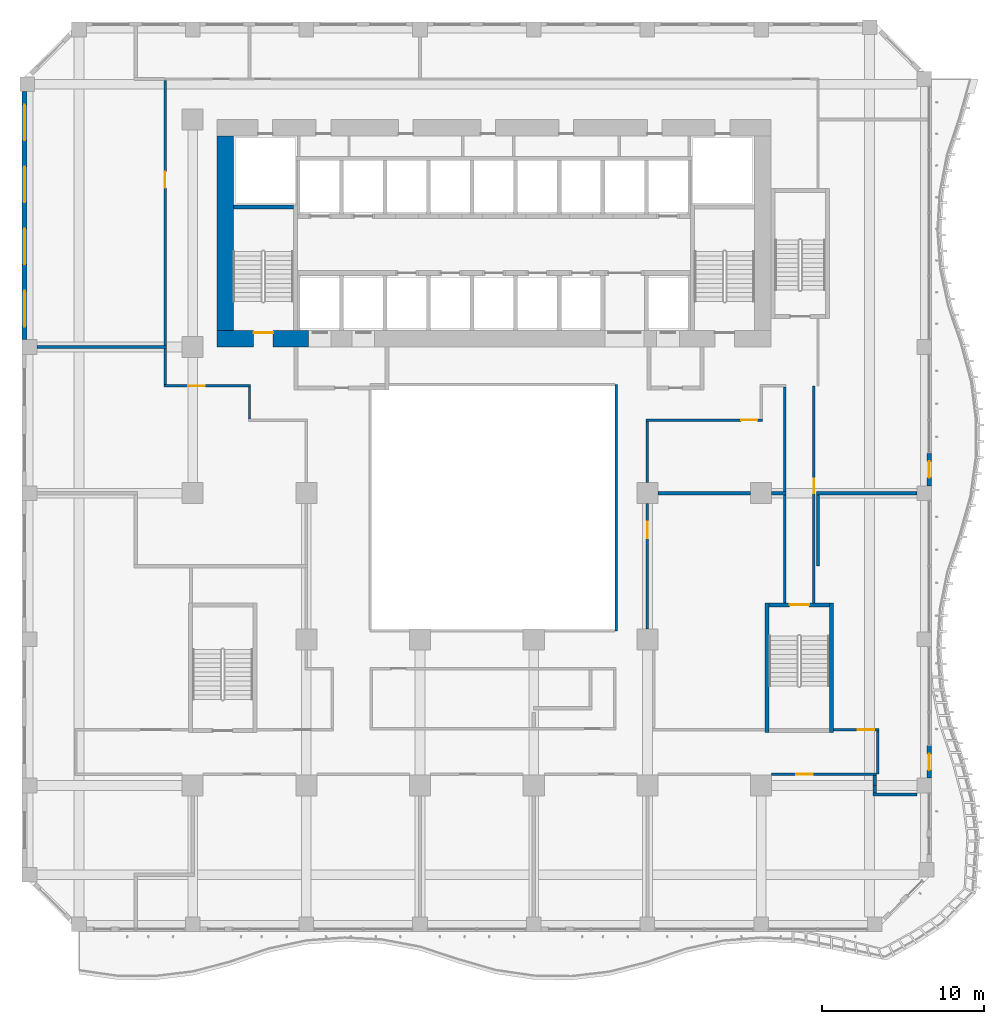
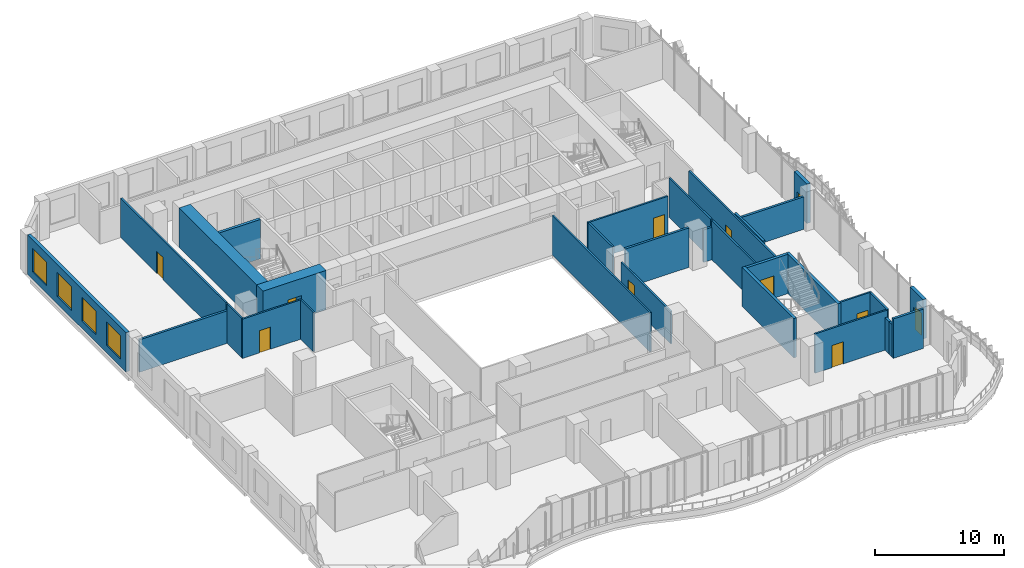
# One storey, part 14 of 27: 31 walls, 11 doors, 4 windows, 15 openings.
"""IFC4 building model written with IfcOpenShell, lengths in metres."""

from ifc_helpers import new_model, si_unit, direction, frame, frame_2d, origin, place, context, subcontext, project, spatial, rectangle, extrude, source, transform, mapped, material, layer, layer_set, type_object, element, fill, save


model = new_model("IFC4")

# Units and contexts
model_context = context("Model", 3, precision=1e-05, world=origin(), true_north=direction((0.0, 1.0)))
body_context = subcontext(model_context, "Body", "Model", "MODEL_VIEW")
ifc_project = project(units=[si_unit("LENGTHUNIT", "METRE"), si_unit("AREAUNIT", "SQUARE_METRE"), si_unit("VOLUMEUNIT", "CUBIC_METRE"), si_unit("PLANEANGLEUNIT", "RADIAN"), si_unit("MASSUNIT", "GRAM", prefix="KILO")], contexts=[model_context])

# Site, building, storey
site_placement = place(None, origin())
site = spatial("IfcSite", under=ifc_project, at=site_placement, CompositionType="ELEMENT")
building_placement = place(site_placement, origin())
building = spatial("IfcBuilding", under=site, at=building_placement, Name="Kilnfold Tower and Market Hall", CompositionType="ELEMENT")
storey_placement = place(building_placement, frame((0.0, 0.0, 51.0)))
storey = spatial("IfcBuildingStorey", under=building, at=storey_placement, Name="L11", CompositionType="ELEMENT", Elevation=51.0)

# Walls
ifc_material_1 = material(Name="Fire-resisting glazed screen")
ifc_layer_1 = layer(ifc_material_1, 0.14990234375)
ifc_layer_set_1 = layer_set([ifc_layer_1], Name="Fire-resisting glazed screen")
wall_type_1 = type_object("IfcWallType", Name="WALL ATRIUM 150", PredefinedType="PARTITIONING", material=ifc_layer_set_1)
wall_1_placement = place(storey_placement, frame((8.574951171875, 5.675048828125, 0.0), z_axis=(0.0, 0.0, 1.0), x_axis=(0.0, -1.0, 0.0)))
element("IfcWall", 1, at=wall_1_placement, inside=storey, type_object=wall_type_1, Name="Partition LY10.71", PredefinedType="PARTITIONING", context=body_context, shape_type="SweptSolid", body=[
    extrude(rectangle(XDim=15.150146484375, YDim=0.14990234375, at=frame_2d((7.5751953125, 0.0))), origin(), (0.0, 0.0, 1.0), 3.719970703125),
])
ifc_material_2 = material(Name="Gypsum board on steel studs", Category="steel")
ifc_layer_2 = layer(ifc_material_2, 0.14990234375)
ifc_layer_set_2 = layer_set([ifc_layer_2], Name="Gypsum board on steel studs")
wall_type_2 = type_object("IfcWallType", Name="WALL CORRIDOR 150", PredefinedType="PARTITIONING", material=ifc_layer_set_2)
wall_2_placement = place(storey_placement, frame((-14.0, 5.52490234375, 0.0), z_axis=(0.0, 0.0, 1.0), x_axis=(0.0, -1.0, 0.0)))
element("IfcWall", 2, at=wall_2_placement, inside=storey, type_object=wall_type_2, Name="Partition LY10.4", PredefinedType="PARTITIONING", context=body_context, shape_type="SweptSolid", body=[
    extrude(rectangle(XDim=1.949951171875, YDim=0.14990234375, at=frame_2d((0.97509765625, 0.0))), origin(), (0.0, 0.0, 1.0), 3.719970703125),
])

# Wall, opening, door
wall_3_placement = place(storey_placement, frame((-19.27490234375, 5.60009765625, 0.0), z_axis=(0.0, 0.0, 1.0), x_axis=(1.0, 0.0, 0.0)))
wall_3 = element("IfcWall", 3, at=wall_3_placement, inside=storey, type_object=wall_type_2, Name="Partition LY10.5", PredefinedType="PARTITIONING", context=body_context, shape_type="SweptSolid", body=[
    extrude(rectangle(XDim=5.349853515625, YDim=0.14990234375, at=frame_2d((2.6748046875, 0.0))), origin(), (0.0, 0.0, 1.0), 3.719970703125),
])
opening_1_placement = place(wall_3_placement, frame((1.51708984375, 0.0, 0.0)))
opening_1 = element("IfcOpeningElement", 4, at=opening_1_placement, cuts=wall_3, Name="Opening D1", PredefinedType="OPENING", context=body_context, shape_type="SweptSolid", body=[
    extrude(rectangle(XDim=1.0, YDim=2.10009765625, at=frame_2d((0.5, 1.050048828125))), frame((0.0, 0.0849609375, 0.0), z_axis=(0.0, -1.0, 0.0), x_axis=(1.0, 0.0, 0.0)), (0.0, 0.0, 1.0), 0.169921875),
])
ifc_material_3 = material(Name="Timber veneer door leaf in steel frame", Category="steel")
door_type_1 = type_object("IfcDoorType", Name="DOOR ENTRY 1000 X2100", OperationType="NOTDEFINED", PredefinedType="DOOR", material=ifc_material_3)
door_1_placement = place(opening_1_placement, origin())
door_1 = element("IfcDoor", 5, at=door_1_placement, inside=storey, type_object=door_type_1, Name="Door D1", OperationType="SINGLE_SWING_RIGHT", OverallHeight=2.10009765625, OverallWidth=1.0, PredefinedType="DOOR", context=body_context, shape_type="SweptSolid", body=[
    extrude(rectangle(XDim=1.0, YDim=2.10009765625, at=frame_2d((0.5, 1.050048828125))), frame((0.0, 0.02490234375, 0.0), z_axis=(0.0, -1.0, 0.0), x_axis=(1.0, 0.0, 0.0)), (0.0, 0.0, 1.0), 0.050048828125),
])
fill(opening_1, door_1)

# Wall
wall_4_placement = place(storey_placement, frame((-19.199951171875, 5.675048828125, 0.0), z_axis=(0.0, 0.0, 1.0), x_axis=(0.0, 1.0, 0.0)))
element("IfcWall", 6, at=wall_4_placement, inside=storey, type_object=wall_type_2, Name="Partition LY10.6", PredefinedType="PARTITIONING", context=body_context, shape_type="SweptSolid", body=[
    extrude(rectangle(XDim=2.23486328125, YDim=0.14990234375, at=frame_2d((1.117431640625, 0.0))), origin(), (0.0, 0.0, 1.0), 3.719970703125),
])

# Wall, opening, door
wall_5_placement = place(storey_placement, frame((18.14990234375, -18.300048828125, 0.0), z_axis=(0.0, 0.0, 1.0), x_axis=(1.0, 0.0, 0.0)))
wall_5 = element("IfcWall", 7, at=wall_5_placement, inside=storey, type_object=wall_type_2, Name="Partition LY10.24", PredefinedType="PARTITIONING", context=body_context, shape_type="SweptSolid", body=[
    extrude(rectangle(XDim=6.460205078125, YDim=0.14990234375, at=frame_2d((3.22998046875, 0.0))), origin(), (0.0, 0.0, 1.0), 3.719970703125),
])
opening_2_placement = place(wall_5_placement, frame((1.51611328125, 0.0, 0.0)))
opening_2 = element("IfcOpeningElement", 8, at=opening_2_placement, cuts=wall_5, Name="Opening D1", PredefinedType="OPENING", context=body_context, shape_type="SweptSolid", body=[
    extrude(rectangle(XDim=1.0, YDim=2.10009765625, at=frame_2d((0.5, 1.050048828125))), frame((0.0, 0.0849609375, 0.0), z_axis=(0.0, -1.0, 0.0), x_axis=(1.0, 0.0, 0.0)), (0.0, 0.0, 1.0), 0.169921875),
])
door_2_placement = place(opening_2_placement, origin())
door_2 = element("IfcDoor", 9, at=door_2_placement, inside=storey, type_object=door_type_1, Name="Door D1", OperationType="SINGLE_SWING_RIGHT", OverallHeight=2.10009765625, OverallWidth=1.0, PredefinedType="DOOR", context=body_context, shape_type="SweptSolid", body=[
    extrude(rectangle(XDim=1.0, YDim=2.10009765625, at=frame_2d((0.5, 1.050048828125))), frame((0.0, 0.02490234375, 0.0), z_axis=(0.0, -1.0, 0.0), x_axis=(1.0, 0.0, 0.0)), (0.0, 0.0, 1.0), 0.050048828125),
])
fill(opening_2, door_2)

wall_6_placement = place(storey_placement, frame((10.5, -9.35009765625, 0.0), z_axis=(0.0, 0.0, 1.0), x_axis=(0.0, 1.0, 0.0)))
wall_6 = element("IfcWall", 10, at=wall_6_placement, inside=storey, type_object=wall_type_2, Name="Partition LY10.25", PredefinedType="PARTITIONING", context=body_context, shape_type="SweptSolid", body=[
    extrude(rectangle(XDim=7.7001953125, YDim=0.14990234375, at=frame_2d((3.85009765625, 0.0))), origin(), (0.0, 0.0, 1.0), 3.070068359375),
])
opening_3_placement = place(wall_6_placement, frame((5.5849609375, 0.0, 0.0)))
opening_3 = element("IfcOpeningElement", 11, at=opening_3_placement, cuts=wall_6, Name="Opening D1", PredefinedType="OPENING", context=body_context, shape_type="SweptSolid", body=[
    extrude(rectangle(XDim=1.0, YDim=2.10009765625, at=frame_2d((0.5, 1.050048828125))), frame((0.0, 0.0849609375, 0.0), z_axis=(0.0, -1.0, 0.0), x_axis=(1.0, 0.0, 0.0)), (0.0, 0.0, 1.0), 0.169921875),
])
door_3_placement = place(opening_3_placement, origin())
door_3 = element("IfcDoor", 12, at=door_3_placement, inside=storey, type_object=door_type_1, Name="Door D1", OperationType="SINGLE_SWING_RIGHT", OverallHeight=2.10009765625, OverallWidth=1.0, PredefinedType="DOOR", context=body_context, shape_type="SweptSolid", body=[
    extrude(rectangle(XDim=1.0, YDim=2.10009765625, at=frame_2d((0.5, 1.050048828125))), frame((0.0, 0.02490234375, 0.0), z_axis=(0.0, -1.0, 0.0), x_axis=(1.0, 0.0, 0.0)), (0.0, 0.0, 1.0), 0.050048828125),
])
fill(opening_3, door_3)

# Wall
wall_7_placement = place(storey_placement, frame((18.949951171875, -7.75, 0.0), z_axis=(0.0, 0.0, 1.0), x_axis=(0.0, 1.0, 0.0)))
element("IfcWall", 13, at=wall_7_placement, inside=storey, type_object=wall_type_2, Name="Partition LY10.28", PredefinedType="PARTITIONING", context=body_context, shape_type="SweptSolid", body=[
    extrude(rectangle(XDim=6.659912109375, YDim=0.14990234375, at=frame_2d((3.330078125, 0.0))), origin(), (0.0, 0.0, 1.0), 3.719970703125),
])

# Wall, opening, door
wall_8_placement = place(storey_placement, frame((21.949951171875, -15.574951171875, 0.0), z_axis=(0.0, 0.0, 1.0), x_axis=(1.0, 0.0, 0.0)))
wall_8 = element("IfcWall", 14, at=wall_8_placement, inside=storey, type_object=wall_type_2, Name="Partition LY10.29", PredefinedType="PARTITIONING", context=body_context, shape_type="SweptSolid", body=[
    extrude(rectangle(XDim=2.80712890625, YDim=0.14990234375, at=frame_2d((1.403564453125, 0.0))), origin(), (0.0, 0.0, 1.0), 3.719970703125),
])
opening_4_placement = place(wall_8_placement, frame((1.506103515625, 0.0, 0.0)))
opening_4 = element("IfcOpeningElement", 15, at=opening_4_placement, cuts=wall_8, Name="Opening D1", PredefinedType="OPENING", context=body_context, shape_type="SweptSolid", body=[
    extrude(rectangle(XDim=1.0, YDim=2.10009765625, at=frame_2d((0.5, 1.050048828125))), frame((0.0, 0.0849609375, 0.0), z_axis=(0.0, -1.0, 0.0), x_axis=(1.0, 0.0, 0.0)), (0.0, 0.0, 1.0), 0.169921875),
])
door_4_placement = place(opening_4_placement, origin())
door_4 = element("IfcDoor", 16, at=door_4_placement, inside=storey, type_object=door_type_1, Name="Door D1", OperationType="SINGLE_SWING_RIGHT", OverallHeight=2.10009765625, OverallWidth=1.0, PredefinedType="DOOR", context=body_context, shape_type="SweptSolid", body=[
    extrude(rectangle(XDim=1.0, YDim=2.10009765625, at=frame_2d((0.5, 1.050048828125))), frame((0.0, 0.02490234375, 0.0), z_axis=(0.0, -1.0, 0.0), x_axis=(1.0, 0.0, 0.0)), (0.0, 0.0, 1.0), 0.050048828125),
])
fill(opening_4, door_4)

# Wall
wall_9_placement = place(storey_placement, frame((24.681884765625, -18.300048828125, 0.0), z_axis=(0.0, 0.0, 1.0), x_axis=(0.0, 1.0, 0.0)))
element("IfcWall", 17, at=wall_9_placement, inside=storey, type_object=wall_type_2, Name="Partition LY10.30", PredefinedType="PARTITIONING", context=body_context, shape_type="SweptSolid", body=[
    extrude(rectangle(XDim=2.650146484375, YDim=0.14990234375, at=frame_2d((1.3251953125, 0.0))), origin(), (0.0, 0.0, 1.0), 3.719970703125),
])

# Wall, opening, door
wall_10_placement = place(storey_placement, frame((20.75, -7.75, 0.0), z_axis=(0.0, 0.0, 1.0), x_axis=(0.0, 1.0, 0.0)))
wall_10 = element("IfcWall", 18, at=wall_10_placement, inside=storey, type_object=wall_type_2, Name="Partition LY10.31", PredefinedType="PARTITIONING", context=body_context, shape_type="SweptSolid", body=[
    extrude(rectangle(XDim=13.35009765625, YDim=0.14990234375, at=frame_2d((6.675048828125, 0.0))), origin(), (0.0, 0.0, 1.0), 3.719970703125),
])
opening_5_placement = place(wall_10_placement, frame((6.743896484375, 0.0, 0.0)))
opening_5 = element("IfcOpeningElement", 19, at=opening_5_placement, cuts=wall_10, Name="Opening D2", PredefinedType="OPENING", context=body_context, shape_type="SweptSolid", body=[
    extrude(rectangle(XDim=0.89990234375, YDim=2.10009765625, at=frame_2d((0.449951171875, 1.050048828125))), frame((0.0, 0.0849609375, 0.0), z_axis=(0.0, -1.0, 0.0), x_axis=(1.0, 0.0, 0.0)), (0.0, 0.0, 1.0), 0.169921875),
])
ifc_material_4 = material(Name="Timber veneer door leaf in steel frame", Category="steel")
door_type_2 = type_object("IfcDoorType", Name="DOOR ROOM 900 X2100", OperationType="NOTDEFINED", PredefinedType="DOOR", material=ifc_material_4)
door_5_placement = place(opening_5_placement, origin())
door_5 = element("IfcDoor", 20, at=door_5_placement, inside=storey, type_object=door_type_2, Name="Door D2", OperationType="SINGLE_SWING_RIGHT", OverallHeight=2.10009765625, OverallWidth=0.89990234375, PredefinedType="DOOR", context=body_context, shape_type="SweptSolid", body=[
    extrude(rectangle(XDim=0.89990234375, YDim=2.10009765625, at=frame_2d((0.449951171875, 1.050048828125))), frame((0.0, 0.02490234375, 0.0), z_axis=(0.0, -1.0, 0.0), x_axis=(1.0, 0.0, 0.0)), (0.0, 0.0, 1.0), 0.050048828125),
])
fill(opening_5, door_5)

# Walls
wall_11_placement = place(storey_placement, frame((10.5, -0.35009765625, 0.0), z_axis=(0.0, 0.0, 1.0), x_axis=(0.0, 1.0, 0.0)))
element("IfcWall", 21, at=wall_11_placement, inside=storey, type_object=wall_type_2, Name="Partition LY10.32", PredefinedType="PARTITIONING", context=body_context, shape_type="SweptSolid", body=[
    extrude(rectangle(XDim=3.775146484375, YDim=0.14990234375, at=frame_2d((1.8876953125, 0.0))), origin(), (0.0, 0.0, 1.0), 3.719970703125),
])
wall_12_placement = place(storey_placement, frame((18.949951171875, -0.909912109375, 0.0), z_axis=(0.0, 0.0, 1.0), x_axis=(0.0, 1.0, 0.0)))
element("IfcWall", 22, at=wall_12_placement, inside=storey, type_object=wall_type_2, Name="Partition LY10.33", PredefinedType="PARTITIONING", context=body_context, shape_type="SweptSolid", body=[
    extrude(rectangle(XDim=6.434814453125, YDim=0.14990234375, at=frame_2d((3.21728515625, 0.0))), origin(), (0.0, 0.0, 1.0), 3.719970703125),
])

# Wall, opening, door
wall_13_placement = place(storey_placement, frame((10.425048828125, 3.5, 0.0), z_axis=(0.0, 0.0, 1.0), x_axis=(1.0, 0.0, 0.0)))
wall_13 = element("IfcWall", 23, at=wall_13_placement, inside=storey, type_object=wall_type_2, Name="Partition LY10.36", PredefinedType="PARTITIONING", context=body_context, shape_type="SweptSolid", body=[
    extrude(rectangle(XDim=7.14990234375, YDim=0.14990234375, at=frame_2d((3.574951171875, 0.0))), origin(), (0.0, 0.0, 1.0), 3.719970703125),
])
opening_6_placement = place(wall_13_placement, frame((5.84912109375, 0.0, 0.0)))
opening_6 = element("IfcOpeningElement", 24, at=opening_6_placement, cuts=wall_13, Name="Opening D1", PredefinedType="OPENING", context=body_context, shape_type="SweptSolid", body=[
    extrude(rectangle(XDim=1.0, YDim=2.10009765625, at=frame_2d((0.5, 1.050048828125))), frame((0.0, 0.0849609375, 0.0), z_axis=(0.0, -1.0, 0.0), x_axis=(1.0, 0.0, 0.0)), (0.0, 0.0, 1.0), 0.169921875),
])
door_6_placement = place(opening_6_placement, origin())
door_6 = element("IfcDoor", 25, at=door_6_placement, inside=storey, type_object=door_type_1, Name="Door D1", OperationType="SINGLE_SWING_LEFT", OverallHeight=2.10009765625, OverallWidth=1.0, PredefinedType="DOOR", context=body_context, shape_type="SweptSolid", body=[
    extrude(rectangle(XDim=1.0, YDim=2.10009765625, at=frame_2d((0.5, 1.050048828125))), frame((0.0, 0.02490234375, 0.0), z_axis=(0.0, -1.0, 0.0), x_axis=(1.0, 0.0, 0.0)), (0.0, 0.0, 1.0), 0.050048828125),
])
fill(opening_6, door_6)

wall_14_placement = place(storey_placement, frame((-19.199951171875, 8.090087890625, 0.0), z_axis=(0.0, 0.0, 1.0), x_axis=(0.0, 1.0, 0.0)))
wall_14 = element("IfcWall", 26, at=wall_14_placement, inside=storey, type_object=wall_type_2, Name="Partition LY10.41", PredefinedType="PARTITIONING", context=body_context, shape_type="SweptSolid", body=[
    extrude(rectangle(XDim=16.309814453125, YDim=0.14990234375, at=frame_2d((8.15478515625, 0.0))), origin(), (0.0, 0.0, 1.0), 3.719970703125),
])
opening_7_placement = place(wall_14_placement, frame((9.7060546875, 0.0, 0.0)))
opening_7 = element("IfcOpeningElement", 27, at=opening_7_placement, cuts=wall_14, Name="Opening D1", PredefinedType="OPENING", context=body_context, shape_type="SweptSolid", body=[
    extrude(rectangle(XDim=1.0, YDim=2.10009765625, at=frame_2d((0.5, 1.050048828125))), frame((0.0, 0.0849609375, 0.0), z_axis=(0.0, -1.0, 0.0), x_axis=(1.0, 0.0, 0.0)), (0.0, 0.0, 1.0), 0.169921875),
])
door_7_placement = place(opening_7_placement, origin())
door_7 = element("IfcDoor", 28, at=door_7_placement, inside=storey, type_object=door_type_1, Name="Door D1", OperationType="SINGLE_SWING_LEFT", OverallHeight=2.10009765625, OverallWidth=1.0, PredefinedType="DOOR", context=body_context, shape_type="SweptSolid", body=[
    extrude(rectangle(XDim=1.0, YDim=2.10009765625, at=frame_2d((0.5, 1.050048828125))), frame((0.0, 0.02490234375, 0.0), z_axis=(0.0, -1.0, 0.0), x_axis=(1.0, 0.0, 0.0)), (0.0, 0.0, 1.0), 0.050048828125),
])
fill(opening_7, door_7)

# Walls
ifc_material_5 = material(Name="Gypsum board on steel studs", Category="steel")
ifc_layer_3 = layer(ifc_material_5, 0.199951171875)
ifc_layer_set_3 = layer_set([ifc_layer_3], Name="Gypsum board on steel studs")
wall_type_3 = type_object("IfcWallType", Name="WALL PARTY 200", PredefinedType="PARTITIONING", material=ifc_layer_set_3)
wall_15_placement = place(storey_placement, frame((-19.1259765625, 8.0, 0.0), z_axis=(0.0, 0.0, 1.0), x_axis=(-1.0, 0.0, 0.0)))
element("IfcWall", 29, at=wall_15_placement, inside=storey, type_object=wall_type_3, Name="Partition LY10.45", PredefinedType="PARTITIONING", context=body_context, shape_type="SweptSolid", body=[
    extrude(rectangle(XDim=7.97412109375, YDim=0.199951171875, at=frame_2d((3.987060546875, 0.0))), origin(), (0.0, 0.0, 1.0), 3.070068359375),
])
wall_16_placement = place(storey_placement, frame((24.498046875, -19.4580078125, 0.0), z_axis=(0.0, 0.0, 1.0), x_axis=(0.0, 1.0, 0.0)))
element("IfcWall", 30, at=wall_16_placement, inside=storey, type_object=wall_type_3, Name="Partition LY10.56", PredefinedType="PARTITIONING", context=body_context, shape_type="SweptSolid", body=[
    extrude(rectangle(XDim=0.4599609375, YDim=0.199951171875, at=frame_2d((0.22998046875, 0.0))), origin(), (0.0, 0.0, 1.0), 3.070068359375),
])
wall_17_placement = place(storey_placement, frame((27.10205078125, -19.55810546875, 0.0), z_axis=(0.0, 0.0, 1.0), x_axis=(-1.0, 0.0, 0.0)))
element("IfcWall", 31, at=wall_17_placement, inside=storey, type_object=wall_type_3, Name="Partition LY10.57", PredefinedType="PARTITIONING", context=body_context, shape_type="SweptSolid", body=[
    extrude(rectangle(XDim=2.7041015625, YDim=0.199951171875, at=frame_2d((1.35205078125, 0.0))), origin(), (0.0, 0.0, 1.0), 3.719970703125),
])
wall_18_placement = place(storey_placement, frame((24.5, -18.998046875, 0.0), z_axis=(0.0, 0.0, 1.0), x_axis=(0.0, 1.0, 0.0)))
element("IfcWall", 32, at=wall_18_placement, inside=storey, type_object=wall_type_3, Name="Partition LY10.58", PredefinedType="PARTITIONING", context=body_context, shape_type="SweptSolid", body=[
    extrude(rectangle(XDim=0.6220703125, YDim=0.199951171875, at=frame_2d((0.31103515625, 0.0))), origin(), (0.0, 0.0, 1.0), 3.070068359375),
])
wall_19_placement = place(storey_placement, frame((11.14990234375, -1.0, 0.0), z_axis=(0.0, 0.0, 1.0), x_axis=(1.0, 0.0, 0.0)))
element("IfcWall", 33, at=wall_19_placement, inside=storey, type_object=wall_type_3, Name="Partition LY10.59", PredefinedType="PARTITIONING", context=body_context, shape_type="SweptSolid", body=[
    extrude(rectangle(XDim=5.7001953125, YDim=0.199951171875, at=frame_2d((2.85009765625, 0.0))), origin(), (0.0, 0.0, 1.0), 3.719970703125),
])
wall_20_placement = place(storey_placement, frame((18.14990234375, -1.0, 0.0), z_axis=(0.0, 0.0, 1.0), x_axis=(1.0, 0.0, 0.0)))
element("IfcWall", 34, at=wall_20_placement, inside=storey, type_object=wall_type_3, Name="Partition LY10.60", PredefinedType="PARTITIONING", context=body_context, shape_type="SweptSolid", body=[
    extrude(rectangle(XDim=0.8740234375, YDim=0.199951171875, at=frame_2d((0.43701171875, 0.0))), origin(), (0.0, 0.0, 1.0), 3.070068359375),
])
wall_21_placement = place(storey_placement, frame((21.0, -1.10009765625, 0.0), z_axis=(0.0, 0.0, 1.0), x_axis=(0.0, -1.0, 0.0)))
element("IfcWall", 35, at=wall_21_placement, inside=storey, type_object=wall_type_3, Name="Partition LY10.61", PredefinedType="PARTITIONING", context=body_context, shape_type="SweptSolid", body=[
    extrude(rectangle(XDim=4.39990234375, YDim=0.199951171875, at=frame_2d((2.199951171875, 0.0))), origin(), (0.0, 0.0, 1.0), 3.719970703125),
])
wall_22_placement = place(storey_placement, frame((20.89990234375, -1.0, 0.0), z_axis=(0.0, 0.0, 1.0), x_axis=(1.0, 0.0, 0.0)))
element("IfcWall", 36, at=wall_22_placement, inside=storey, type_object=wall_type_3, Name="Partition LY10.62", PredefinedType="PARTITIONING", context=body_context, shape_type="SweptSolid", body=[
    extrude(rectangle(XDim=6.2001953125, YDim=0.199951171875, at=frame_2d((3.10009765625, 0.0))), origin(), (0.0, 0.0, 1.0), 3.070068359375),
])

# Wall, opening, door
ifc_material_6 = material(Name="Concrete C80", Category="concrete")
ifc_layer_4 = layer(ifc_material_6, 1.0)
ifc_layer_set_4 = layer_set([ifc_layer_4], Name="Concrete C80")
wall_type_4 = type_object("IfcWallType", Name="CORE WALL 1000 C80", PredefinedType="SHEAR", material=ifc_layer_set_4)
shared_shape_1 = source(origin(), body_context, "Body", "SweptSolid", [
    extrude(rectangle(XDim=5.6298828125, YDim=1.0, at=frame_2d((2.81494140625, 0.0))), origin(), (0.0, 0.0, 1.0), 3.719970703125),
])
wall_23_placement = place(storey_placement, frame((-16.0, 8.5, 0.0), z_axis=(0.0, 0.0, 1.0), x_axis=(1.0, 0.0, 0.0)))
wall_23 = element("IfcWall", 37, at=wall_23_placement, inside=storey, type_object=wall_type_4, Name="Core outer wall south", PredefinedType="SHEAR", context=body_context, shape_type="MappedRepresentation", body=[
    mapped(shared_shape_1, transform((0.0, 0.0, 0.0))),
])
opening_8_placement = place(wall_23_placement, frame((2.25, 0.0, 0.0)))
opening_8 = element("IfcOpeningElement", 38, at=opening_8_placement, cuts=wall_23, Name="Opening SD1", PredefinedType="OPENING", context=body_context, shape_type="SweptSolid", body=[
    extrude(rectangle(XDim=1.199951171875, YDim=2.10009765625, at=frame_2d((0.60009765625, 1.050048828125))), frame((0.0, 0.510009765625, 0.0), z_axis=(0.0, -1.0, 0.0), x_axis=(1.0, 0.0, 0.0)), (0.0, 0.0, 1.0), 1.02001953125),
])
ifc_material_7 = material(Name="Steel door set with fire-resisting leaf", Category="steel")
door_type_3 = type_object("IfcDoorType", Name="STAIR FLOOR DOOR 1200X2100", OperationType="NOTDEFINED", PredefinedType="DOOR", material=ifc_material_7)
door_8_placement = place(opening_8_placement, origin())
door_8 = element("IfcDoor", 39, at=door_8_placement, inside=storey, type_object=door_type_3, Name="Exit stair ST1 door", OperationType="DOUBLE_DOOR_SINGLE_SWING", OverallHeight=2.10009765625, OverallWidth=1.199951171875, PredefinedType="DOOR", context=body_context, shape_type="SweptSolid", body=[
    extrude(rectangle(XDim=1.199951171875, YDim=2.10009765625, at=frame_2d((0.60009765625, 1.050048828125))), frame((0.0, 0.40478515625, 0.0), z_axis=(0.0, -1.0, 0.0), x_axis=(1.0, 0.0, 0.0)), (0.0, 0.0, 1.0), 0.050048828125),
])
fill(opening_8, door_8)

# Walls
shared_shape_2 = source(origin(), body_context, "Body", "SweptSolid", [
    extrude(rectangle(XDim=12.0, YDim=1.0, at=frame_2d((6.0, 0.0))), origin(), (0.0, 0.0, 1.0), 3.719970703125),
])
wall_24_placement = place(storey_placement, frame((-15.5, 9.0, 0.0), z_axis=(0.0, 0.0, 1.0), x_axis=(0.0, 1.0, 0.0)))
element("IfcWall", 40, at=wall_24_placement, inside=storey, type_object=wall_type_4, Name="Core outer wall west", PredefinedType="SHEAR", context=body_context, shape_type="MappedRepresentation", body=[
    mapped(shared_shape_2, transform((0.0, 0.0, 0.0))),
])
ifc_material_8 = material(Name="Concrete C80", Category="concrete")
ifc_layer_5 = layer(ifc_material_8, 0.25)
ifc_layer_set_5 = layer_set([ifc_layer_5], Name="Concrete C80")
wall_type_5 = type_object("IfcWallType", Name="CORE WALL 250 C80", PredefinedType="SHEAR", material=ifc_layer_set_5)
shared_shape_3 = source(origin(), body_context, "Body", "SweptSolid", [
    extrude(rectangle(XDim=3.699951171875, YDim=0.25, at=frame_2d((1.85009765625, 0.0))), origin(), (0.0, 0.0, 1.0), 3.719970703125),
])
wall_25_placement = place(storey_placement, frame((-15.0, 16.625, 0.0), z_axis=(0.0, 0.0, 1.0), x_axis=(1.0, 0.0, 0.0)))
element("IfcWall", 41, at=wall_25_placement, inside=storey, type_object=wall_type_5, Name="Stair enclosure ST1", PredefinedType="SHEAR", context=body_context, shape_type="MappedRepresentation", body=[
    mapped(shared_shape_3, transform((0.0, 0.0, 0.0))),
])

# Wall, opening, door
wall_26_placement = place(storey_placement, frame((18.0, -7.875, 0.0), z_axis=(0.0, 0.0, 1.0), x_axis=(1.0, 0.0, 0.0)))
wall_26 = element("IfcWall", 42, at=wall_26_placement, inside=storey, type_object=wall_type_5, Name="Stair enclosure ST4", PredefinedType="SHEAR", context=body_context, shape_type="MappedRepresentation", body=[
    mapped(shared_shape_3, transform((0.0, 0.0, 0.0))),
])
opening_9_placement = place(wall_26_placement, frame((1.25, 0.0, 0.0)))
opening_9 = element("IfcOpeningElement", 43, at=opening_9_placement, cuts=wall_26, Name="Opening SD1", PredefinedType="OPENING", context=body_context, shape_type="SweptSolid", body=[
    extrude(rectangle(XDim=1.199951171875, YDim=2.10009765625, at=frame_2d((0.60009765625, 1.050048828125))), frame((0.0, 0.135009765625, 0.0), z_axis=(0.0, -1.0, 0.0), x_axis=(1.0, 0.0, 0.0)), (0.0, 0.0, 1.0), 0.27001953125),
])
door_9_placement = place(opening_9_placement, origin())
door_9 = element("IfcDoor", 44, at=door_9_placement, inside=storey, type_object=door_type_3, Name="Exit stair ST4 door", OperationType="DOUBLE_DOOR_SINGLE_SWING", OverallHeight=2.10009765625, OverallWidth=1.199951171875, PredefinedType="DOOR", context=body_context, shape_type="SweptSolid", body=[
    extrude(rectangle(XDim=1.199951171875, YDim=2.10009765625, at=frame_2d((0.60009765625, 1.050048828125))), frame((0.0, 0.02490234375, 0.0), z_axis=(0.0, -1.0, 0.0), x_axis=(1.0, 0.0, 0.0)), (0.0, 0.0, 1.0), 0.050048828125),
])
fill(opening_9, door_9)

# Walls
shared_shape_4 = source(origin(), body_context, "Body", "SweptSolid", [
    extrude(rectangle(XDim=8.0, YDim=0.25, at=frame_2d((4.0, 0.0))), origin(), (0.0, 0.0, 1.0), 3.719970703125),
])
for number, where, z_axis, x_axis, name in (
    (45, (17.875, -15.75, 0.0), (0.0, 0.0, 1.0), (0.0, 1.0, 0.0), "Stair enclosure ST4"),
    (46, (21.824951171875, -15.75, 0.0), (0.0, 0.0, 1.0), (0.0, 1.0, 0.0), "Stair enclosure ST4"),
):
    element("IfcWall", number, at=place(storey_placement, frame(where, z_axis=z_axis, x_axis=x_axis)), inside=storey, type_object=wall_type_5, Name=name, PredefinedType="SHEAR", context=body_context, shape_type="MappedRepresentation", body=[
        mapped(shared_shape_4, transform((0.0, 0.0, 0.0))),
    ])

# Wall, opening, door
ifc_material_9 = material(Name="Precast concrete C50/60", Category="concrete")
ifc_layer_6 = layer(ifc_material_9, 0.300048828125)
ifc_layer_set_6 = layer_set([ifc_layer_6], Name="Precast concrete C50/60")
wall_type_6 = type_object("IfcWallType", Name="PRECAST WALL 300", PredefinedType="SOLIDWALL", material=ifc_layer_set_6)
shared_shape_5 = source(origin(), body_context, "Body", "SweptSolid", [
    extrude(rectangle(XDim=2.0, YDim=0.300048828125, at=frame_2d((1.0, 0.0))), origin(), (0.0, 0.0, 1.0), 3.719970703125),
])
wall_27_placement = place(storey_placement, frame((27.85009765625, -18.550048828125, 0.0), z_axis=(0.0, 0.0, 1.0), x_axis=(0.0, 1.0, 0.0)))
wall_27 = element("IfcWall", 47, at=wall_27_placement, inside=storey, type_object=wall_type_6, Name="External wall L11 E", PredefinedType="SOLIDWALL", context=body_context, shape_type="MappedRepresentation", body=[
    mapped(shared_shape_5, transform((0.0, 0.0, 0.0))),
])
opening_10_placement = place(wall_27_placement, frame((0.5, 0.0, 0.0)))
opening_10 = element("IfcOpeningElement", 48, at=opening_10_placement, cuts=wall_27, Name="Opening BD1", PredefinedType="OPENING", context=body_context, shape_type="SweptSolid", body=[
    extrude(rectangle(XDim=1.0, YDim=2.10009765625, at=frame_2d((0.5, 1.050048828125))), frame((0.0, 0.16015625, 0.0), z_axis=(0.0, -1.0, 0.0), x_axis=(1.0, 0.0, 0.0)), (0.0, 0.0, 1.0), 0.320068359375),
])
ifc_material_10 = material(Name="Aluminium frame and double glazing", Category="aluminium")
door_type_4 = type_object("IfcDoorType", Name="BALCONY DOOR 1000X2100", OperationType="NOTDEFINED", PredefinedType="DOOR", material=ifc_material_10)
door_10_placement = place(opening_10_placement, origin())
door_10 = element("IfcDoor", 49, at=door_10_placement, inside=storey, type_object=door_type_4, Name="Balcony door BD1 L11 E-1", OperationType="SINGLE_SWING_LEFT", OverallHeight=2.10009765625, OverallWidth=1.0, PredefinedType="DOOR", context=body_context, shape_type="SweptSolid", body=[
    extrude(rectangle(XDim=1.0, YDim=2.10009765625, at=frame_2d((0.5, 1.050048828125))), frame((0.0, 0.02490234375, 0.0), z_axis=(0.0, -1.0, 0.0), x_axis=(1.0, 0.0, 0.0)), (0.0, 0.0, 1.0), 0.050048828125),
])
fill(opening_10, door_10)

wall_28_placement = place(storey_placement, frame((27.85009765625, -0.550048828125, 0.0), z_axis=(0.0, 0.0, 1.0), x_axis=(0.0, 1.0, 0.0)))
wall_28 = element("IfcWall", 50, at=wall_28_placement, inside=storey, type_object=wall_type_6, Name="External wall L11 E", PredefinedType="SOLIDWALL", context=body_context, shape_type="MappedRepresentation", body=[
    mapped(shared_shape_5, transform((0.0, 0.0, 0.0))),
])
opening_11_placement = place(wall_28_placement, frame((0.5, 0.0, 0.0)))
opening_11 = element("IfcOpeningElement", 51, at=opening_11_placement, cuts=wall_28, Name="Opening BD1", PredefinedType="OPENING", context=body_context, shape_type="SweptSolid", body=[
    extrude(rectangle(XDim=1.0, YDim=2.10009765625, at=frame_2d((0.5, 1.050048828125))), frame((0.0, 0.16015625, 0.0), z_axis=(0.0, -1.0, 0.0), x_axis=(1.0, 0.0, 0.0)), (0.0, 0.0, 1.0), 0.320068359375),
])
door_11_placement = place(opening_11_placement, origin())
door_11 = element("IfcDoor", 52, at=door_11_placement, inside=storey, type_object=door_type_4, Name="Balcony door BD1 L11 E-1", OperationType="SINGLE_SWING_LEFT", OverallHeight=2.10009765625, OverallWidth=1.0, PredefinedType="DOOR", context=body_context, shape_type="SweptSolid", body=[
    extrude(rectangle(XDim=1.0, YDim=2.10009765625, at=frame_2d((0.5, 1.050048828125))), frame((0.0, 0.02490234375, 0.0), z_axis=(0.0, -1.0, 0.0), x_axis=(1.0, 0.0, 0.0)), (0.0, 0.0, 1.0), 0.050048828125),
])
fill(opening_11, door_11)

# Wall, openings, windows
shared_shape_6 = source(origin(), body_context, "Body", "SweptSolid", [
    extrude(rectangle(XDim=15.28173828125, YDim=0.300048828125, at=frame_2d((7.640869140625, 0.0))), origin(), (0.0, 0.0, 1.0), 3.719970703125),
])
wall_29_placement = place(storey_placement, frame((-27.85009765625, 23.731689453125, 0.0), z_axis=(0.0, 0.0, 1.0), x_axis=(0.0, -1.0, 0.0)))
wall_29 = element("IfcWall", 53, at=wall_29_placement, inside=storey, type_object=wall_type_6, Name="External wall L11 W", PredefinedType="SOLIDWALL", context=body_context, shape_type="MappedRepresentation", body=[
    mapped(shared_shape_6, transform((0.0, 0.0, 0.0))),
])
opening_12_placement = place(wall_29_placement, frame((0.810302734375, 0.0, 0.699951171875)))
opening_12 = element("IfcOpeningElement", 54, at=opening_12_placement, cuts=wall_29, Name="Opening W1", PredefinedType="OPENING", context=body_context, shape_type="SweptSolid", body=[
    extrude(rectangle(XDim=2.199951171875, YDim=2.25, at=frame_2d((1.10009765625, 1.125))), frame((0.0, 0.16015625, 0.0), z_axis=(0.0, -1.0, 0.0), x_axis=(1.0, 0.0, 0.0)), (0.0, 0.0, 1.0), 0.320068359375),
])
opening_13_placement = place(wall_29_placement, frame((4.630615234375, 0.0, 0.699951171875)))
opening_13 = element("IfcOpeningElement", 55, at=opening_13_placement, cuts=wall_29, Name="Opening W1", PredefinedType="OPENING", context=body_context, shape_type="SweptSolid", body=[
    extrude(rectangle(XDim=2.199951171875, YDim=2.25, at=frame_2d((1.10009765625, 1.125))), frame((0.0, 0.16015625, 0.0), z_axis=(0.0, -1.0, 0.0), x_axis=(1.0, 0.0, 0.0)), (0.0, 0.0, 1.0), 0.320068359375),
])
opening_14_placement = place(wall_29_placement, frame((8.451171875, 0.0, 0.699951171875)))
opening_14 = element("IfcOpeningElement", 56, at=opening_14_placement, cuts=wall_29, Name="Opening W1", PredefinedType="OPENING", context=body_context, shape_type="SweptSolid", body=[
    extrude(rectangle(XDim=2.199951171875, YDim=2.25, at=frame_2d((1.10009765625, 1.125))), frame((0.0, 0.16015625, 0.0), z_axis=(0.0, -1.0, 0.0), x_axis=(1.0, 0.0, 0.0)), (0.0, 0.0, 1.0), 0.320068359375),
])
opening_15_placement = place(wall_29_placement, frame((12.271484375, 0.0, 0.699951171875)))
opening_15 = element("IfcOpeningElement", 57, at=opening_15_placement, cuts=wall_29, Name="Opening W1", PredefinedType="OPENING", context=body_context, shape_type="SweptSolid", body=[
    extrude(rectangle(XDim=2.199951171875, YDim=2.25, at=frame_2d((1.10009765625, 1.125))), frame((0.0, 0.16015625, 0.0), z_axis=(0.0, -1.0, 0.0), x_axis=(1.0, 0.0, 0.0)), (0.0, 0.0, 1.0), 0.320068359375),
])
ifc_material_11 = material(Name="Aluminium frame and double glazing", Category="aluminium")
window_type = type_object("IfcWindowType", Name="WINDOW W1 2200X2250", PartitioningType="SINGLE_PANEL", PredefinedType="WINDOW", material=ifc_material_11)
window_1_placement = place(opening_12_placement, origin())
window_1 = element("IfcWindow", 58, at=window_1_placement, inside=storey, type_object=window_type, Name="Window W1 L11 W-1", OverallHeight=2.25, OverallWidth=2.199951171875, PartitioningType="SINGLE_PANEL", PredefinedType="WINDOW", context=body_context, shape_type="SweptSolid", body=[
    extrude(rectangle(XDim=2.199951171875, YDim=2.25, at=frame_2d((1.10009765625, 1.125))), frame((0.0, 0.030029296875, 0.0), z_axis=(0.0, -1.0, 0.0), x_axis=(1.0, 0.0, 0.0)), (0.0, 0.0, 1.0), 0.06005859375),
])
fill(opening_12, window_1)
window_2_placement = place(opening_13_placement, origin())
window_2 = element("IfcWindow", 59, at=window_2_placement, inside=storey, type_object=window_type, Name="Window W1 L11 W-2", OverallHeight=2.25, OverallWidth=2.199951171875, PartitioningType="SINGLE_PANEL", PredefinedType="WINDOW", context=body_context, shape_type="SweptSolid", body=[
    extrude(rectangle(XDim=2.199951171875, YDim=2.25, at=frame_2d((1.10009765625, 1.125))), frame((0.0, 0.030029296875, 0.0), z_axis=(0.0, -1.0, 0.0), x_axis=(1.0, 0.0, 0.0)), (0.0, 0.0, 1.0), 0.06005859375),
])
fill(opening_13, window_2)
window_3_placement = place(opening_14_placement, origin())
window_3 = element("IfcWindow", 60, at=window_3_placement, inside=storey, type_object=window_type, Name="Window W1 L11 W-3", OverallHeight=2.25, OverallWidth=2.199951171875, PartitioningType="SINGLE_PANEL", PredefinedType="WINDOW", context=body_context, shape_type="SweptSolid", body=[
    extrude(rectangle(XDim=2.199951171875, YDim=2.25, at=frame_2d((1.10009765625, 1.125))), frame((0.0, 0.030029296875, 0.0), z_axis=(0.0, -1.0, 0.0), x_axis=(1.0, 0.0, 0.0)), (0.0, 0.0, 1.0), 0.06005859375),
])
fill(opening_14, window_3)
window_4_placement = place(opening_15_placement, origin())
window_4 = element("IfcWindow", 61, at=window_4_placement, inside=storey, type_object=window_type, Name="Window W1 L11 W-4", OverallHeight=2.25, OverallWidth=2.199951171875, PartitioningType="SINGLE_PANEL", PredefinedType="WINDOW", context=body_context, shape_type="SweptSolid", body=[
    extrude(rectangle(XDim=2.199951171875, YDim=2.25, at=frame_2d((1.10009765625, 1.125))), frame((0.0, 0.030029296875, 0.0), z_axis=(0.0, -1.0, 0.0), x_axis=(1.0, 0.0, 0.0)), (0.0, 0.0, 1.0), 0.06005859375),
])
fill(opening_15, window_4)

save(model, "model.ifc")
